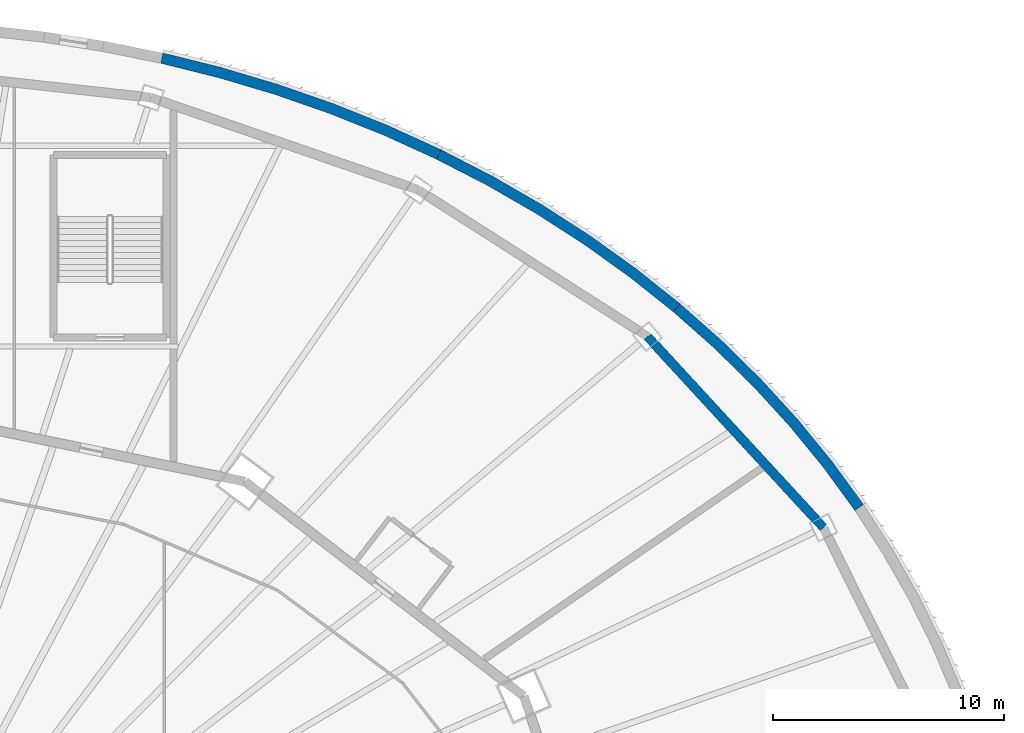
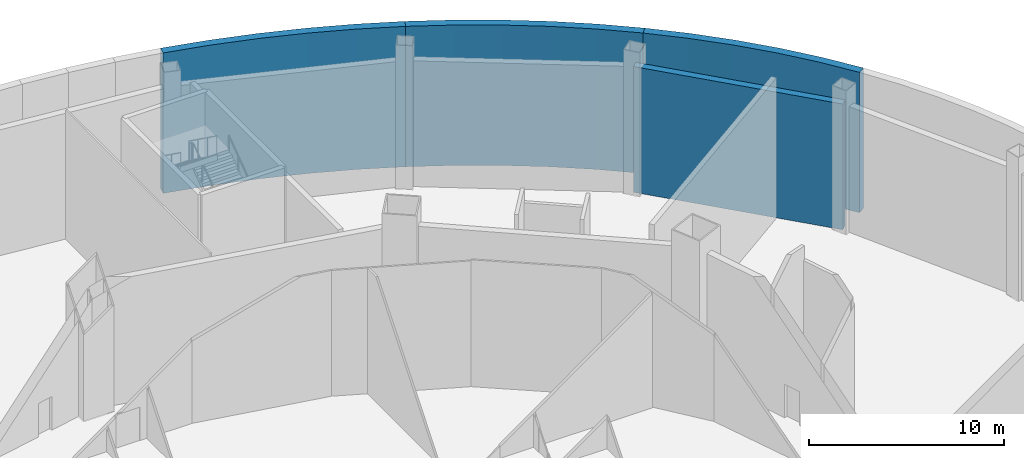
# One storey, part 14 of 35: 4 walls.
"""IFC4 building model written with IfcOpenShell, lengths in metres."""

from ifc_helpers import new_model, si_unit, direction, frame, frame_2d, origin, place, context, subcontext, project, spatial, polyline, rectangle, outline, extrude, material, layer, layer_set, type_object, element, save


model = new_model("IFC4")

# Units and contexts
model_context = context("Model", 3, precision=1e-05, world=origin(), true_north=direction((0.0, 1.0)))
body_context = subcontext(model_context, "Body", "Model", "MODEL_VIEW")
ifc_project = project(units=[si_unit("LENGTHUNIT", "METRE"), si_unit("AREAUNIT", "SQUARE_METRE"), si_unit("VOLUMEUNIT", "CUBIC_METRE"), si_unit("PLANEANGLEUNIT", "RADIAN"), si_unit("MASSUNIT", "GRAM", prefix="KILO")], contexts=[model_context])

# Site, building, storey
site_placement = place(None, origin())
site = spatial("IfcSite", under=ifc_project, at=site_placement, CompositionType="ELEMENT")
building_placement = place(site_placement, origin())
building = spatial("IfcBuilding", under=site, at=building_placement, Name="Sahrelin Media Tower", CompositionType="ELEMENT")
storey_placement = place(building_placement, frame((0.0, 0.0, 8.0)))
storey = spatial("IfcBuildingStorey", under=building, at=storey_placement, Name="L01", CompositionType="ELEMENT", Elevation=8.0)

# Walls
ifc_material_1 = material(Name="Fire-rated gypsum board partition")
ifc_layer_1 = layer(ifc_material_1, 0.39990234375)
ifc_layer_set_1 = layer_set([ifc_layer_1], Name="Fire-rated partition 400")
wall_type_1 = type_object("IfcWallType", Name="Fire-rated partition 400", PredefinedType="PARTITIONING", material=ifc_layer_set_1)
wall_1_placement = place(storey_placement, frame((41.569091796875, 20.0, 0.0), z_axis=(0.0, 0.0, 1.0), x_axis=(-0.67736833065, 0.735644033914, 0.0)))
element("IfcWall", 1, at=wall_1_placement, inside=storey, type_object=wall_type_1, Name="Wall", PredefinedType="PARTITIONING", context=body_context, shape_type="SweptSolid", body=[
    extrude(rectangle(XDim=11.26123046875, YDim=0.39990234375, at=frame_2d((5.630615234375, 0.0))), origin(), (0.0, 0.0, 1.0), 7.876953125),
])
ifc_material_2 = material(Name="Concrete C40/50", Category="concrete")
ifc_layer_2 = layer(ifc_material_2, 0.449951171875)
ifc_layer_set_2 = layer_set([ifc_layer_2], Name="Studio facade wall")
wall_type_2 = type_object("IfcWallType", Name="Studio facade wall", PredefinedType="SOLIDWALL", material=ifc_layer_set_2)
placement = place(storey_placement, origin())
element("IfcWall", 2, at=placement, inside=storey, type_object=wall_type_2, Name="Studio facade wall L01-P02", PredefinedType="SOLIDWALL", context=body_context, shape_type="SweptSolid", body=[
    extrude(outline(polyline([(43.30126953125, 21.0), (41.93359375, 22.874755859375), (40.45068359375, 24.68701171875), (38.857421875, 26.431396484375), (37.1572265625, 28.103515625), (35.355224609375, 29.698486328125), (35.06591796875, 29.35400390625), (36.85009765625, 27.7744140625), (38.533203125, 26.119140625), (40.1103515625, 24.392578125), (41.577392578125, 22.599609375), (42.930419921875, 20.7451171875), (43.30126953125, 21.0)])), origin(), (0.0, 0.0, 1.0), 8.800048828125),
])
element("IfcWall", 3, at=placement, inside=storey, type_object=wall_type_2, Name="Studio facade wall L01-P03", PredefinedType="SOLIDWALL", context=body_context, shape_type="SweptSolid", body=[
    extrude(outline(polyline([(35.355224609375, 29.698486328125), (33.45654296875, 31.212158203125), (31.466064453125, 32.64013671875), (29.389404296875, 33.978759765625), (27.23193359375, 35.22412109375), (25.0, 36.373046875), (24.8037109375, 35.96826171875), (27.0166015625, 34.8291015625), (29.15478515625, 33.594482421875), (31.212890625, 32.26806640625), (33.18505859375, 30.853271484375), (35.06591796875, 29.35400390625), (35.355224609375, 29.698486328125)])), origin(), (0.0, 0.0, 1.0), 8.800048828125),
])
element("IfcWall", 4, at=placement, inside=storey, type_object=wall_type_2, Name="Studio facade wall L01-P04", PredefinedType="SOLIDWALL", context=body_context, shape_type="SweptSolid", body=[
    extrude(outline(polyline([(25.0, 36.373046875), (22.699462890625, 37.42236328125), (20.3369140625, 38.368896484375), (17.91845703125, 39.21044921875), (15.45068359375, 39.9443359375), (12.94091796875, 40.56884765625), (12.84228515625, 40.1298828125), (15.332275390625, 39.51025390625), (17.7802734375, 38.781982421875), (20.17919921875, 37.947509765625), (22.5224609375, 37.008544921875), (24.8037109375, 35.96826171875), (25.0, 36.373046875)])), origin(), (0.0, 0.0, 1.0), 8.800048828125),
])

save(model, "model.ifc")
